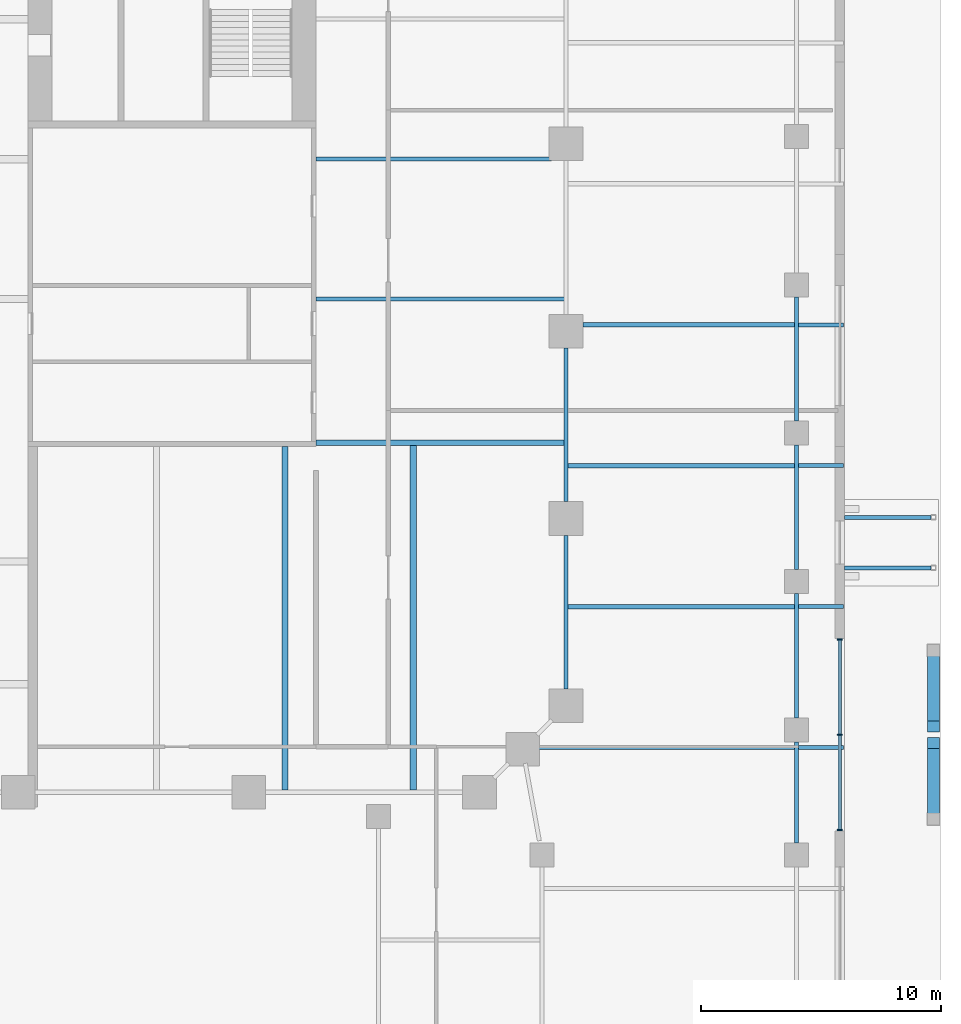
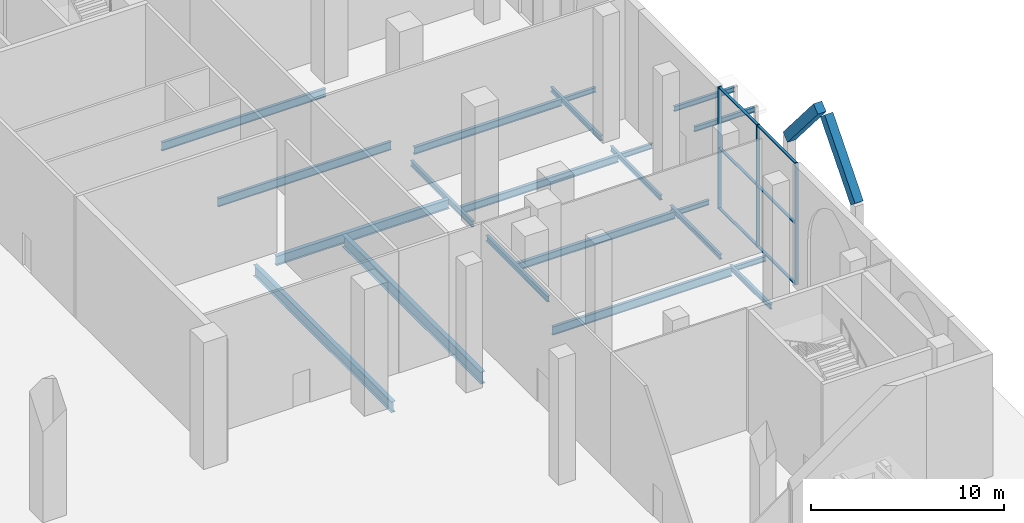
# One storey, part 21 of 38: 21 beams, 11 members, 1 element without a shape of its own.
"""IFC4 building model written with IfcOpenShell, lengths in metres."""

from ifc_helpers import new_model, si_unit, direction, frame, origin, origin_2d, place, context, subcontext, project, spatial, rectangle, i_section, extrude, material, material_profile, profile_set, type_object, element, aggregate, save


model = new_model("IFC4")

# Units and contexts
model_context = context("Model", 3, precision=1e-05, world=origin(), true_north=direction((0.0, 1.0)))
body_context = subcontext(model_context, "Body", "Model", "MODEL_VIEW")
ifc_project = project(units=[si_unit("LENGTHUNIT", "METRE"), si_unit("AREAUNIT", "SQUARE_METRE"), si_unit("VOLUMEUNIT", "CUBIC_METRE"), si_unit("PLANEANGLEUNIT", "RADIAN"), si_unit("MASSUNIT", "GRAM", prefix="KILO")], contexts=[model_context])

# Site, building, storey
site_placement = place(None, origin())
site = spatial("IfcSite", under=ifc_project, at=site_placement, CompositionType="ELEMENT")
building_placement = place(site_placement, origin())
building = spatial("IfcBuilding", under=site, at=building_placement, Name="Ogive Exchange Tower", CompositionType="ELEMENT")
storey_placement = place(building_placement, origin())
storey = spatial("IfcBuildingStorey", under=building, at=storey_placement, Name="L00", CompositionType="ELEMENT", Elevation=0.0)

# Members
ifc_material_1 = material(Name="Concrete C70/85", Category="concrete")
ifc_material_profile_1 = material_profile(ifc_material_1, rectangle(XDim=0.5, YDim=0.60009765625, at=origin_2d()), Name="PC 500x600")
ifc_profile_set_1 = profile_set([ifc_material_profile_1], Name="Concrete C70/85")
member_type_1 = type_object("IfcMemberType", Name="Arch rib 500x600", PredefinedType="USERDEFINED", material=ifc_profile_set_1)
for number, where, z_axis, x_axis, name in (
    (1, (47.699951171875, -31.5, 3.5), (0.0, 0.64925670005, 0.760569350842), (-1.0, 0.0, 0.0), "Arch rib"),
    (2, (47.699951171875, -24.5, 3.5), (0.0, -0.64925670005, 0.760569350842), (1.0, 0.0, 0.0), "Arch rib"),
):
    element("IfcMember", number, at=place(storey_placement, frame(where, z_axis=z_axis, x_axis=x_axis)), inside=storey, type_object=member_type_1, Name=name, ObjectType="ARCH RIB", PredefinedType="USERDEFINED", context=body_context, shape_type="SweptSolid", body=[
        extrude(rectangle(XDim=0.5, YDim=0.60009765625, at=origin_2d()), origin(), (0.0, 0.0, 1.0), 4.8515625),
    ])

# Beams
ifc_material_2 = material(Name="Steel ASTM A992 Gr50", Category="steel")
ifc_material_profile_2 = material_profile(ifc_material_2, i_section(OverallWidth=0.1650390625, OverallDepth=0.31005859375, WebThickness=0.005859375, FlangeThickness=0.009765625, at=origin_2d()), Name="W310x38.7")
ifc_profile_set_2 = profile_set([ifc_material_profile_2], Name="Steel ASTM A992 Gr50")
beam_type_1 = type_object("IfcBeamType", Name="Floor beam W310x38.7", PredefinedType="JOIST", material=ifc_profile_set_2)
for number, where, z_axis, x_axis, name in (
    (3, (42.08251953125, -28.533203125, -0.455078125), (1.0, 0.0, 0.0), (0.0, 1.0, 0.0), "Floor beam"),
    (4, (42.08251953125, -22.666748046875, -0.455078125), (1.0, 0.0, 0.0), (0.0, 1.0, 0.0), "Floor beam"),
    (5, (42.08251953125, -16.800048828125, -0.455078125), (1.0, 0.0, 0.0), (0.0, 1.0, 0.0), "Floor beam"),
    (6, (42.08251953125, -10.933349609375, -0.455078125), (1.0, 0.0, 0.0), (0.0, 1.0, 0.0), "Floor beam"),
):
    element("IfcBeam", number, at=place(storey_placement, frame(where, z_axis=z_axis, x_axis=x_axis)), inside=storey, type_object=beam_type_1, Name=name, PredefinedType="JOIST", context=body_context, shape_type="SweptSolid", body=[
        extrude(i_section(OverallWidth=0.1650390625, OverallDepth=0.31005859375, WebThickness=0.005859375, FlangeThickness=0.009765625, at=origin_2d()), origin(), (0.0, 0.0, 1.0), 1.867431640625),
    ])
ifc_material_profile_3 = material_profile(ifc_material_2, i_section(OverallWidth=0.19091796875, OverallDepth=0.45703125, WebThickness=0.009033203125, FlangeThickness=0.014404296875, at=origin_2d()), Name="W460x74")
ifc_profile_set_3 = profile_set([ifc_material_profile_3], Name="Steel ASTM A992 Gr50")
beam_type_2 = type_object("IfcBeamType", Name="Floor beam W460x74", PredefinedType="JOIST", material=ifc_profile_set_3)
for number, where, z_axis, x_axis, name in (
    (7, (32.485595703125, -22.666748046875, -0.528564453125), (1.0, 0.0, 0.0), (0.0, 1.0, 0.0), "Floor beam"),
    (8, (32.485595703125, -16.800048828125, -0.528564453125), (1.0, 0.0, 0.0), (0.0, 1.0, 0.0), "Floor beam"),
):
    element("IfcBeam", number, at=place(storey_placement, frame(where, z_axis=z_axis, x_axis=x_axis)), inside=storey, type_object=beam_type_2, Name=name, PredefinedType="JOIST", context=body_context, shape_type="SweptSolid", body=[
        extrude(i_section(OverallWidth=0.19091796875, OverallDepth=0.45703125, WebThickness=0.009033203125, FlangeThickness=0.014404296875, at=origin_2d()), origin(), (0.0, 0.0, 1.0), 9.431884765625),
    ])
beam_1_placement = place(storey_placement, frame((33.10009765625, -10.933349609375, -0.528564453125), z_axis=(1.0, 0.0, 0.0), x_axis=(0.0, 1.0, 0.0)))
element("IfcBeam", 9, at=beam_1_placement, inside=storey, type_object=beam_type_2, Name="Floor beam", PredefinedType="JOIST", context=body_context, shape_type="SweptSolid", body=[
    extrude(i_section(OverallWidth=0.19091796875, OverallDepth=0.45703125, WebThickness=0.009033203125, FlangeThickness=0.014404296875, at=origin_2d()), origin(), (0.0, 0.0, 1.0), 8.8173828125),
])
ifc_material_profile_4 = material_profile(ifc_material_2, i_section(OverallWidth=0.1669921875, OverallDepth=0.535888671875, WebThickness=0.01025390625, FlangeThickness=0.0166015625, at=origin_2d()), Name="W530x85")
ifc_profile_set_4 = profile_set([ifc_material_profile_4], Name="Steel ASTM A992 Gr50")
beam_type_3 = type_object("IfcBeamType", Name="Floor beam W530x85", PredefinedType="JOIST", material=ifc_profile_set_4)
beam_2_placement = place(storey_placement, frame((22.0, -9.8642578125, -0.568115234375), z_axis=(1.0, 0.0, 0.0), x_axis=(0.0, 1.0, 0.0)))
element("IfcBeam", 10, at=beam_2_placement, inside=storey, type_object=beam_type_3, Name="Floor beam", PredefinedType="JOIST", context=body_context, shape_type="SweptSolid", body=[
    extrude(i_section(OverallWidth=0.1669921875, OverallDepth=0.535888671875, WebThickness=0.01025390625, FlangeThickness=0.0166015625, at=origin_2d()), origin(), (0.0, 0.0, 1.0), 10.344970703125),
])
beam_3_placement = place(storey_placement, frame((22.0, -4.03857421875, -0.568115234375), z_axis=(1.0, 0.0, 0.0), x_axis=(0.0, 1.0, 0.0)))
element("IfcBeam", 11, at=beam_3_placement, inside=storey, type_object=beam_type_3, Name="Floor beam", PredefinedType="JOIST", context=body_context, shape_type="SweptSolid", body=[
    extrude(i_section(OverallWidth=0.1669921875, OverallDepth=0.535888671875, WebThickness=0.01025390625, FlangeThickness=0.0166015625, at=origin_2d()), origin(), (0.0, 0.0, 1.0), 9.800048828125),
])
beam_4_placement = place(storey_placement, frame((31.199951171875, -28.533203125, -0.568115234375), z_axis=(1.0, 0.0, 0.0), x_axis=(0.0, 1.0, 0.0)))
element("IfcBeam", 12, at=beam_4_placement, inside=storey, type_object=beam_type_3, Name="Floor beam", PredefinedType="JOIST", context=body_context, shape_type="SweptSolid", body=[
    extrude(i_section(OverallWidth=0.1669921875, OverallDepth=0.535888671875, WebThickness=0.01025390625, FlangeThickness=0.0166015625, at=origin_2d()), origin(), (0.0, 0.0, 1.0), 10.717529296875),
])
ifc_material_profile_5 = material_profile(ifc_material_2, i_section(OverallWidth=0.25390625, OverallDepth=0.68310546875, WebThickness=0.012451171875, FlangeThickness=0.018798828125, at=origin_2d()), Name="W690x140")
ifc_profile_set_5 = profile_set([ifc_material_profile_5], Name="Steel ASTM A992 Gr50")
beam_type_4 = type_object("IfcBeamType", Name="Floor beam W690x140", PredefinedType="JOIST", material=ifc_profile_set_5)
beam_5_placement = place(storey_placement, frame((20.699951171875, -30.304443359375, -0.6416015625), z_axis=(0.0, 1.0, 0.0), x_axis=(-1.0, 0.0, 0.0)))
element("IfcBeam", 13, at=beam_5_placement, inside=storey, type_object=beam_type_4, Name="Floor beam", PredefinedType="JOIST", context=body_context, shape_type="SweptSolid", body=[
    extrude(i_section(OverallWidth=0.25390625, OverallDepth=0.68310546875, WebThickness=0.012451171875, FlangeThickness=0.018798828125, at=origin_2d()), origin(), (0.0, 0.0, 1.0), 14.304443359375),
])
ifc_material_profile_6 = material_profile(ifc_material_2, i_section(OverallWidth=0.26708984375, OverallDepth=0.75390625, WebThickness=0.01318359375, FlangeThickness=0.01708984375, at=origin_2d()), Name="W760x147")
ifc_profile_set_6 = profile_set([ifc_material_profile_6], Name="Steel ASTM A992 Gr50")
beam_type_5 = type_object("IfcBeamType", Name="Floor beam W760x147", PredefinedType="JOIST", material=ifc_profile_set_6)
beam_6_placement = place(storey_placement, frame((26.050048828125, -30.304443359375, -0.677001953125), z_axis=(0.0, 1.0, 0.0), x_axis=(-1.0, 0.0, 0.0)))
element("IfcBeam", 14, at=beam_6_placement, inside=storey, type_object=beam_type_5, Name="Floor beam", PredefinedType="JOIST", context=body_context, shape_type="SweptSolid", body=[
    extrude(i_section(OverallWidth=0.26708984375, OverallDepth=0.75390625, WebThickness=0.01318359375, FlangeThickness=0.01708984375, at=origin_2d()), origin(), (0.0, 0.0, 1.0), 14.345458984375),
])
ifc_material_profile_7 = material_profile(ifc_material_2, i_section(OverallWidth=0.1650390625, OverallDepth=0.31005859375, WebThickness=0.005859375, FlangeThickness=0.009765625, at=origin_2d()), Name="W310x38.7")
ifc_profile_set_7 = profile_set([ifc_material_profile_7], Name="Steel ASTM A992 Gr50")
beam_type_6 = type_object("IfcBeamType", Name="Girder W310x38.7", PredefinedType="BEAM", material=ifc_profile_set_7)
beam_7_placement = place(storey_placement, frame((42.0, -32.5, -0.455078125), z_axis=(0.0, 1.0, 0.0), x_axis=(-1.0, 0.0, 0.0)))
element("IfcBeam", 15, at=beam_7_placement, inside=storey, type_object=beam_type_6, Name="Girder", PredefinedType="BEAM", context=body_context, shape_type="SweptSolid", body=[
    extrude(i_section(OverallWidth=0.1650390625, OverallDepth=0.31005859375, WebThickness=0.005859375, FlangeThickness=0.009765625, at=origin_2d()), origin(), (0.0, 0.0, 1.0), 4.199951171875),
])
beam_8_placement = place(storey_placement, frame((42.0, -27.300048828125, -0.455078125), z_axis=(0.0, 1.0, 0.0), x_axis=(-1.0, 0.0, 0.0)))
element("IfcBeam", 16, at=beam_8_placement, inside=storey, type_object=beam_type_6, Name="Girder", PredefinedType="BEAM", context=body_context, shape_type="SweptSolid", body=[
    extrude(i_section(OverallWidth=0.1650390625, OverallDepth=0.31005859375, WebThickness=0.005859375, FlangeThickness=0.009765625, at=origin_2d()), origin(), (0.0, 0.0, 1.0), 5.179931640625),
])
beam_9_placement = place(storey_placement, frame((42.0, -21.1201171875, -0.455078125), z_axis=(0.0, 1.0, 0.0), x_axis=(-1.0, 0.0, 0.0)))
element("IfcBeam", 17, at=beam_9_placement, inside=storey, type_object=beam_type_6, Name="Girder", PredefinedType="BEAM", context=body_context, shape_type="SweptSolid", body=[
    extrude(i_section(OverallWidth=0.1650390625, OverallDepth=0.31005859375, WebThickness=0.005859375, FlangeThickness=0.009765625, at=origin_2d()), origin(), (0.0, 0.0, 1.0), 5.18017578125),
])
beam_10_placement = place(storey_placement, frame((42.0, -14.93994140625, -0.455078125), z_axis=(0.0, 1.0, 0.0), x_axis=(-1.0, 0.0, 0.0)))
element("IfcBeam", 18, at=beam_10_placement, inside=storey, type_object=beam_type_6, Name="Girder", PredefinedType="BEAM", context=body_context, shape_type="SweptSolid", body=[
    extrude(i_section(OverallWidth=0.1650390625, OverallDepth=0.31005859375, WebThickness=0.005859375, FlangeThickness=0.009765625, at=origin_2d()), origin(), (0.0, 0.0, 1.0), 5.169921875),
])
for number, where, z_axis, x_axis, name in (
    (19, (44.0, -21.050048828125, 3.14501953125), (1.0, 0.0, 0.0), (0.0, 1.0, 0.0), "Canopy beam"),
    (20, (44.0, -18.949951171875, 3.14501953125), (1.0, 0.0, 0.0), (0.0, 1.0, 0.0), "Canopy beam"),
):
    element("IfcBeam", number, at=place(storey_placement, frame(where, z_axis=z_axis, x_axis=x_axis)), inside=storey, type_object=beam_type_6, Name=name, PredefinedType="BEAM", context=body_context, shape_type="SweptSolid", body=[
        extrude(i_section(OverallWidth=0.1650390625, OverallDepth=0.31005859375, WebThickness=0.005859375, FlangeThickness=0.009765625, at=origin_2d()), origin(), (0.0, 0.0, 1.0), 3.598388671875),
    ])
ifc_material_profile_8 = material_profile(ifc_material_2, i_section(OverallWidth=0.1708984375, OverallDepth=0.35595703125, WebThickness=0.00732421875, FlangeThickness=0.01171875, at=origin_2d()), Name="W360x51")
ifc_profile_set_8 = profile_set([ifc_material_profile_8], Name="Steel ASTM A992 Gr50")
beam_type_7 = type_object("IfcBeamType", Name="Girder W360x51", PredefinedType="BEAM", material=ifc_profile_set_8)
for number, where, z_axis, x_axis, name in (
    (21, (32.39990234375, -26.10009765625, -0.47802734375), (0.0, 1.0, 0.0), (-1.0, 0.0, 0.0), "Girder"),
    (22, (32.39990234375, -18.300048828125, -0.47802734375), (0.0, 1.0, 0.0), (-1.0, 0.0, 0.0), "Girder"),
):
    element("IfcBeam", number, at=place(storey_placement, frame(where, z_axis=z_axis, x_axis=x_axis)), inside=storey, type_object=beam_type_7, Name=name, PredefinedType="BEAM", context=body_context, shape_type="SweptSolid", body=[
        extrude(i_section(OverallWidth=0.1708984375, OverallDepth=0.35595703125, WebThickness=0.00732421875, FlangeThickness=0.01171875, at=origin_2d()), origin(), (0.0, 0.0, 1.0), 6.400146484375),
    ])
ifc_material_profile_9 = material_profile(ifc_material_2, i_section(OverallWidth=0.22802734375, OverallDepth=0.60205078125, WebThickness=0.010498046875, FlangeThickness=0.014892578125, at=origin_2d()), Name="W610x101")
ifc_profile_set_9 = profile_set([ifc_material_profile_9], Name="Steel ASTM A992 Gr50")
beam_type_8 = type_object("IfcBeamType", Name="Girder W610x101", PredefinedType="BEAM", material=ifc_profile_set_9)
beam_11_placement = place(storey_placement, frame((22.0, -15.844970703125, -0.60107421875), z_axis=(1.0, 0.0, 0.0), x_axis=(0.0, 1.0, 0.0)))
element("IfcBeam", 23, at=beam_11_placement, inside=storey, type_object=beam_type_8, Name="Header girder", PredefinedType="BEAM", context=body_context, shape_type="SweptSolid", body=[
    extrude(i_section(OverallWidth=0.22802734375, OverallDepth=0.60205078125, WebThickness=0.010498046875, FlangeThickness=0.014892578125, at=origin_2d()), origin(), (0.0, 0.0, 1.0), 10.344970703125),
])

# Curtain wall, members
ifc_material_3 = material(Name="Anodised aluminium and clear glass", Category="aluminium")
curtain_wall_type = type_object("IfcCurtainWallType", Name="Podium arcade glazing", PredefinedType="NOTDEFINED", material=ifc_material_3)
curtain_wall_placement = place(storey_placement, origin())
curtain_wall = element("IfcCurtainWall", 24, at=curtain_wall_placement, inside=storey, type_object=curtain_wall_type, Name="Podium arcade glazing run AG16", PredefinedType="NOTDEFINED")
ifc_material_4 = material(Name="Anodised aluminium", Category="aluminium")
ifc_material_profile_10 = material_profile(ifc_material_4, rectangle(XDim=0.199951171875, YDim=0.06005859375, at=origin_2d()), Name="AL 60x200")
ifc_profile_set_10 = profile_set([ifc_material_profile_10], Name="Anodised aluminium")
member_type_2 = type_object("IfcMemberType", Name="Podium arcade glazing mullion 60 x 200", PredefinedType="MULLION", material=ifc_profile_set_10)
member_1_placement = place(storey_placement, frame((43.800048828125, -31.969970703125, 0.0), z_axis=(0.0, 0.0, 1.0), x_axis=(-1.0, 0.0, 0.0)))
member_1 = element("IfcMember", 25, at=member_1_placement, type_object=member_type_2, Name="AG16 mullion 1", PredefinedType="MULLION", context=body_context, shape_type="SweptSolid", body=[
    extrude(rectangle(XDim=0.199951171875, YDim=0.06005859375, at=origin_2d()), origin(), (0.0, 0.0, 1.0), 7.699951171875),
])
member_2_placement = place(storey_placement, frame((43.800048828125, -28.0, 0.0), z_axis=(0.0, 0.0, 1.0), x_axis=(-1.0, 0.0, 0.0)))
member_2 = element("IfcMember", 26, at=member_2_placement, type_object=member_type_2, Name="AG16 mullion 2", PredefinedType="MULLION", context=body_context, shape_type="SweptSolid", body=[
    extrude(rectangle(XDim=0.199951171875, YDim=0.06005859375, at=origin_2d()), origin(), (0.0, 0.0, 1.0), 7.699951171875),
])
member_3_placement = place(storey_placement, frame((43.800048828125, -24.030029296875, 0.0), z_axis=(0.0, 0.0, 1.0), x_axis=(-1.0, 0.0, 0.0)))
member_3 = element("IfcMember", 27, at=member_3_placement, type_object=member_type_2, Name="AG16 mullion 3", PredefinedType="MULLION", context=body_context, shape_type="SweptSolid", body=[
    extrude(rectangle(XDim=0.199951171875, YDim=0.06005859375, at=origin_2d()), origin(), (0.0, 0.0, 1.0), 7.699951171875),
])
ifc_material_profile_11 = material_profile(ifc_material_4, rectangle(XDim=0.159912109375, YDim=0.06005859375, at=origin_2d()), Name="AL 60x160")
ifc_profile_set_11 = profile_set([ifc_material_profile_11], Name="Anodised aluminium")
member_type_3 = type_object("IfcMemberType", Name="Podium arcade glazing transom 60 x 160", PredefinedType="USERDEFINED", material=ifc_profile_set_11)
member_4_placement = place(storey_placement, frame((43.800048828125, -31.93994140625, 0.030029296875), z_axis=(0.0, 1.0, 0.0), x_axis=(-1.0, 0.0, 0.0)))
member_4 = element("IfcMember", 28, at=member_4_placement, type_object=member_type_3, Name="AG16 transom 1.1", ObjectType="TRANSOM", PredefinedType="USERDEFINED", context=body_context, shape_type="SweptSolid", body=[
    extrude(rectangle(XDim=0.159912109375, YDim=0.06005859375, at=origin_2d()), origin(), (0.0, 0.0, 1.0), 3.909912109375),
])
member_5_placement = place(storey_placement, frame((43.800048828125, -31.93994140625, 3.85009765625), z_axis=(0.0, 1.0, 0.0), x_axis=(-1.0, 0.0, 0.0)))
member_5 = element("IfcMember", 29, at=member_5_placement, type_object=member_type_3, Name="AG16 transom 1.2", ObjectType="TRANSOM", PredefinedType="USERDEFINED", context=body_context, shape_type="SweptSolid", body=[
    extrude(rectangle(XDim=0.159912109375, YDim=0.06005859375, at=origin_2d()), origin(), (0.0, 0.0, 1.0), 3.909912109375),
])
member_6_placement = place(storey_placement, frame((43.800048828125, -31.93994140625, 7.669921875), z_axis=(0.0, 1.0, 0.0), x_axis=(-1.0, 0.0, 0.0)))
member_6 = element("IfcMember", 30, at=member_6_placement, type_object=member_type_3, Name="AG16 transom 1.3", ObjectType="TRANSOM", PredefinedType="USERDEFINED", context=body_context, shape_type="SweptSolid", body=[
    extrude(rectangle(XDim=0.159912109375, YDim=0.06005859375, at=origin_2d()), origin(), (0.0, 0.0, 1.0), 3.909912109375),
])
member_7_placement = place(storey_placement, frame((43.800048828125, -27.969970703125, 0.030029296875), z_axis=(0.0, 1.0, 0.0), x_axis=(-1.0, 0.0, 0.0)))
member_7 = element("IfcMember", 31, at=member_7_placement, type_object=member_type_3, Name="AG16 transom 2.1", ObjectType="TRANSOM", PredefinedType="USERDEFINED", context=body_context, shape_type="SweptSolid", body=[
    extrude(rectangle(XDim=0.159912109375, YDim=0.06005859375, at=origin_2d()), origin(), (0.0, 0.0, 1.0), 3.909912109375),
])
member_8_placement = place(storey_placement, frame((43.800048828125, -27.969970703125, 3.85009765625), z_axis=(0.0, 1.0, 0.0), x_axis=(-1.0, 0.0, 0.0)))
member_8 = element("IfcMember", 32, at=member_8_placement, type_object=member_type_3, Name="AG16 transom 2.2", ObjectType="TRANSOM", PredefinedType="USERDEFINED", context=body_context, shape_type="SweptSolid", body=[
    extrude(rectangle(XDim=0.159912109375, YDim=0.06005859375, at=origin_2d()), origin(), (0.0, 0.0, 1.0), 3.909912109375),
])
member_9_placement = place(storey_placement, frame((43.800048828125, -27.969970703125, 7.669921875), z_axis=(0.0, 1.0, 0.0), x_axis=(-1.0, 0.0, 0.0)))
member_9 = element("IfcMember", 33, at=member_9_placement, type_object=member_type_3, Name="AG16 transom 2.3", ObjectType="TRANSOM", PredefinedType="USERDEFINED", context=body_context, shape_type="SweptSolid", body=[
    extrude(rectangle(XDim=0.159912109375, YDim=0.06005859375, at=origin_2d()), origin(), (0.0, 0.0, 1.0), 3.909912109375),
])
aggregate(curtain_wall, [member_1, member_2, member_3, member_4, member_5, member_6, member_7, member_8, member_9])

save(model, "model.ifc")
